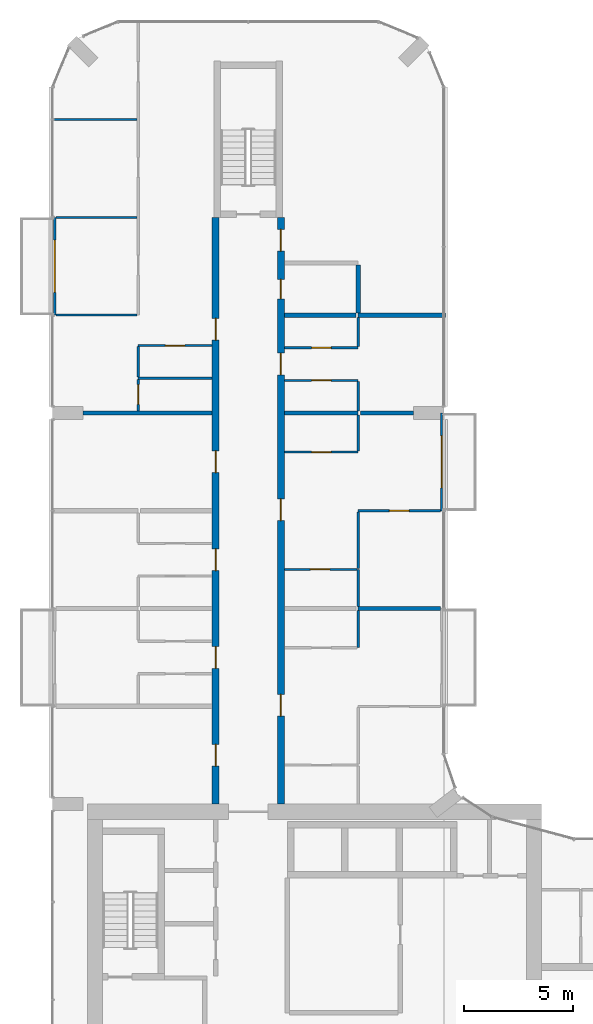
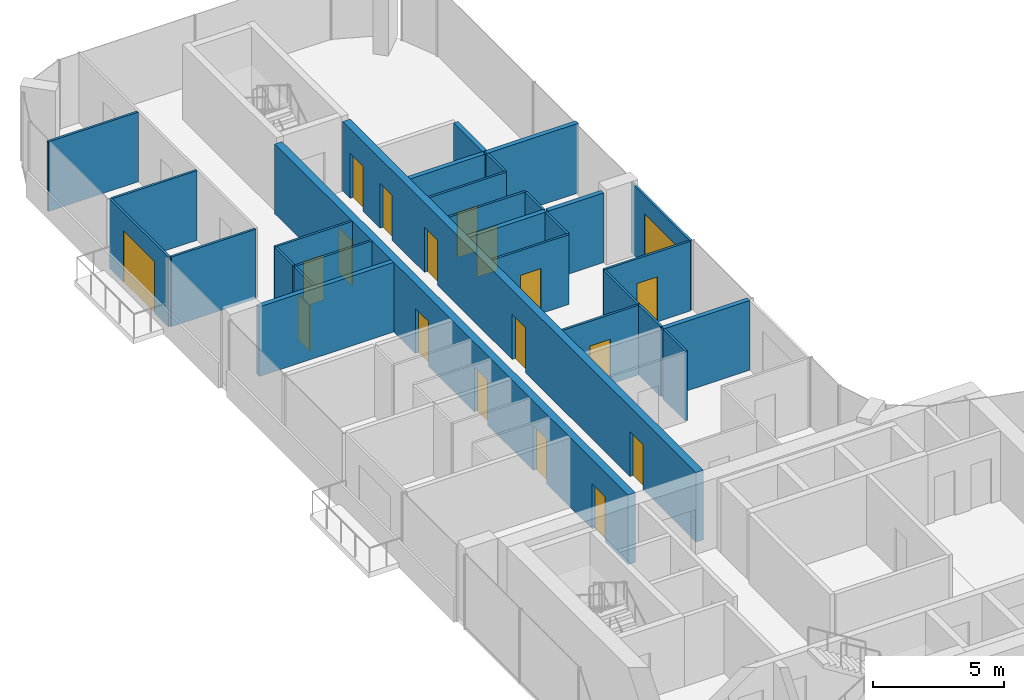
# One storey, part 16 of 23: 29 walls, 19 doors, 19 openings.
"""IFC4 building model written with IfcOpenShell, lengths in metres."""

from ifc_helpers import new_model, si_unit, direction, frame, frame_2d, origin, place, context, subcontext, project, spatial, rectangle, extrude, material, layer, layer_set, type_object, element, fill, save


model = new_model("IFC4")

# Units and contexts
model_context = context("Model", 3, precision=1e-05, world=origin(), true_north=direction((0.0, 1.0)))
body_context = subcontext(model_context, "Body", "Model", "MODEL_VIEW")
ifc_project = project(units=[si_unit("LENGTHUNIT", "METRE"), si_unit("AREAUNIT", "SQUARE_METRE"), si_unit("VOLUMEUNIT", "CUBIC_METRE"), si_unit("PLANEANGLEUNIT", "RADIAN"), si_unit("MASSUNIT", "GRAM", prefix="KILO")], contexts=[model_context])

# Site, building, storey
site_placement = place(None, origin())
site = spatial("IfcSite", under=ifc_project, at=site_placement, CompositionType="ELEMENT")
building_placement = place(site_placement, origin())
building = spatial("IfcBuilding", under=site, at=building_placement, Name="Plateau Cross Towers", CompositionType="ELEMENT")
storey_placement = place(building_placement, frame((0.0, 0.0, 85.300048828125)))
storey = spatial("IfcBuildingStorey", under=building, at=storey_placement, Name="L21", CompositionType="ELEMENT", Elevation=85.300048828125)

# Wall, opening, door
ifc_material_1 = material(Name="Aluminium framed glazing", Category="aluminium")
ifc_layer_1 = layer(ifc_material_1, 0.10009765625)
ifc_layer_set_1 = layer_set([ifc_layer_1], Name="Aluminium framed glazing")
wall_type_1 = type_object("IfcWallType", Name="Balcony screen wall 100", PredefinedType="STANDARD", material=ifc_layer_set_1)
wall_1_placement = place(storey_placement, frame((0.10009765625, 40.5, 0.0), z_axis=(0.0, 0.0, 1.0), x_axis=(0.0, 1.0, 0.0)))
wall_1 = element("IfcWall", 1, at=wall_1_placement, inside=storey, type_object=wall_type_1, Name="Balcony screen wall A-BAL-L21-02", PredefinedType="STANDARD", context=body_context, shape_type="SweptSolid", body=[
    extrude(rectangle(XDim=4.5, YDim=0.10009765625, at=frame_2d((2.25, 0.0))), origin(), (0.0, 0.0, 1.0), 3.25),
])
opening_1_placement = place(wall_1_placement, frame((1.050048828125, 0.0, 0.0)))
opening_1 = element("IfcOpeningElement", 2, at=opening_1_placement, cuts=wall_1, Name="Opening D-B24", PredefinedType="OPENING", context=body_context, shape_type="SweptSolid", body=[
    extrude(rectangle(XDim=2.39990234375, YDim=2.39990234375, at=frame_2d((1.199951171875, 1.199951171875))), frame((0.0, 0.06005859375, 0.0), z_axis=(0.0, -1.0, 0.0), x_axis=(1.0, 0.0, 0.0)), (0.0, 0.0, 1.0), 0.1201171875),
])
ifc_material_2 = material(Name="Aluminium frame, double glazing", Category="aluminium")
door_type_1 = type_object("IfcDoorType", Name="Balcony sliding door 2400", OperationType="NOTDEFINED", PredefinedType="DOOR", material=ifc_material_2)
door_1_placement = place(opening_1_placement, origin())
door_1 = element("IfcDoor", 3, at=door_1_placement, inside=storey, type_object=door_type_1, Name="Balcony door A-BAL-L21-02", OperationType="SINGLE_SWING_LEFT", OverallHeight=2.39990234375, OverallWidth=2.39990234375, PredefinedType="DOOR", context=body_context, shape_type="SweptSolid", body=[
    extrude(rectangle(XDim=2.39990234375, YDim=2.39990234375, at=frame_2d((1.199951171875, 1.199951171875))), frame((0.0, 0.02490234375, 0.0), z_axis=(0.0, -1.0, 0.0), x_axis=(1.0, 0.0, 0.0)), (0.0, 0.0, 1.0), 0.050048828125),
])
fill(opening_1, door_1)

wall_2_placement = place(storey_placement, frame((17.89990234375, 36.0, 0.0), z_axis=(0.0, 0.0, 1.0), x_axis=(0.0, -1.0, 0.0)))
wall_2 = element("IfcWall", 4, at=wall_2_placement, inside=storey, type_object=wall_type_1, Name="Balcony screen wall A-BAL-L21-04", PredefinedType="STANDARD", context=body_context, shape_type="SweptSolid", body=[
    extrude(rectangle(XDim=4.5, YDim=0.10009765625, at=frame_2d((2.25, 0.0))), origin(), (0.0, 0.0, 1.0), 3.25),
])
opening_2_placement = place(wall_2_placement, frame((1.050048828125, 0.0, 0.0)))
opening_2 = element("IfcOpeningElement", 5, at=opening_2_placement, cuts=wall_2, Name="Opening D-B24", PredefinedType="OPENING", context=body_context, shape_type="SweptSolid", body=[
    extrude(rectangle(XDim=2.39990234375, YDim=2.39990234375, at=frame_2d((1.199951171875, 1.199951171875))), frame((0.0, 0.06005859375, 0.0), z_axis=(0.0, -1.0, 0.0), x_axis=(1.0, 0.0, 0.0)), (0.0, 0.0, 1.0), 0.1201171875),
])
door_2_placement = place(opening_2_placement, origin())
door_2 = element("IfcDoor", 6, at=door_2_placement, inside=storey, type_object=door_type_1, Name="Balcony door A-BAL-L21-04", OperationType="SINGLE_SWING_LEFT", OverallHeight=2.39990234375, OverallWidth=2.39990234375, PredefinedType="DOOR", context=body_context, shape_type="SweptSolid", body=[
    extrude(rectangle(XDim=2.39990234375, YDim=2.39990234375, at=frame_2d((1.199951171875, 1.199951171875))), frame((0.0, 0.02490234375, 0.0), z_axis=(0.0, -1.0, 0.0), x_axis=(1.0, 0.0, 0.0)), (0.0, 0.0, 1.0), 0.050048828125),
])
fill(opening_2, door_2)

# Wall, openings, doors
ifc_material_3 = material(Name="Concrete C60/75", Category="concrete")
ifc_layer_2 = layer(ifc_material_3, 0.324951171875)
ifc_layer_set_2 = layer_set([ifc_layer_2], Name="Concrete C60/75")
wall_type_2 = type_object("IfcWallType", Name="Corridor wall 325", PredefinedType="SHEAR", material=ifc_layer_set_2)
wall_3_placement = place(storey_placement, frame((7.5, 18.0, 0.0), z_axis=(0.0, 0.0, 1.0), x_axis=(0.0, 1.0, 0.0)))
wall_3 = element("IfcWall", 7, at=wall_3_placement, inside=storey, type_object=wall_type_2, Name="A-cw-W1@L21", PredefinedType="SHEAR", context=body_context, shape_type="SweptSolid", body=[
    extrude(rectangle(XDim=27.0, YDim=0.324951171875, at=frame_2d((13.5, 0.0))), origin(), (0.0, 0.0, 1.0), 3.25),
])
opening_3_placement = place(wall_3_placement, frame((1.75, 0.0, 0.0)))
opening_3 = element("IfcOpeningElement", 8, at=opening_3_placement, cuts=wall_3, Name="Opening 21-08", PredefinedType="OPENING", context=body_context, shape_type="SweptSolid", body=[
    extrude(rectangle(XDim=1.0, YDim=2.10009765625, at=frame_2d((0.5, 1.050048828125))), frame((0.0, 0.17236328125, 0.0), z_axis=(0.0, -1.0, 0.0), x_axis=(1.0, 0.0, 0.0)), (0.0, 0.0, 1.0), 0.344970703125),
])
opening_4_placement = place(wall_3_placement, frame((6.25, 0.0, 0.0)))
opening_4 = element("IfcOpeningElement", 9, at=opening_4_placement, cuts=wall_3, Name="Opening 21-09", PredefinedType="OPENING", context=body_context, shape_type="SweptSolid", body=[
    extrude(rectangle(XDim=1.0, YDim=2.10009765625, at=frame_2d((0.5, 1.050048828125))), frame((0.0, 0.17236328125, 0.0), z_axis=(0.0, -1.0, 0.0), x_axis=(1.0, 0.0, 0.0)), (0.0, 0.0, 1.0), 0.344970703125),
])
opening_5_placement = place(wall_3_placement, frame((10.75, 0.0, 0.0)))
opening_5 = element("IfcOpeningElement", 10, at=opening_5_placement, cuts=wall_3, Name="Opening 21-10", PredefinedType="OPENING", context=body_context, shape_type="SweptSolid", body=[
    extrude(rectangle(XDim=1.0, YDim=2.10009765625, at=frame_2d((0.5, 1.050048828125))), frame((0.0, 0.17236328125, 0.0), z_axis=(0.0, -1.0, 0.0), x_axis=(1.0, 0.0, 0.0)), (0.0, 0.0, 1.0), 0.344970703125),
])
opening_6_placement = place(wall_3_placement, frame((15.25, 0.0, 0.0)))
opening_6 = element("IfcOpeningElement", 11, at=opening_6_placement, cuts=wall_3, Name="Opening 21-11", PredefinedType="OPENING", context=body_context, shape_type="SweptSolid", body=[
    extrude(rectangle(XDim=1.0, YDim=2.10009765625, at=frame_2d((0.5, 1.050048828125))), frame((0.0, 0.17236328125, 0.0), z_axis=(0.0, -1.0, 0.0), x_axis=(1.0, 0.0, 0.0)), (0.0, 0.0, 1.0), 0.344970703125),
])
opening_7_placement = place(wall_3_placement, frame((21.35009765625, 0.0, 0.0)))
opening_7 = element("IfcOpeningElement", 12, at=opening_7_placement, cuts=wall_3, Name="Opening 21-12", PredefinedType="OPENING", context=body_context, shape_type="SweptSolid", body=[
    extrude(rectangle(XDim=1.0, YDim=2.10009765625, at=frame_2d((0.5, 1.050048828125))), frame((0.0, 0.17236328125, 0.0), z_axis=(0.0, -1.0, 0.0), x_axis=(1.0, 0.0, 0.0)), (0.0, 0.0, 1.0), 0.344970703125),
])
ifc_material_4 = material(Name="Timber, fire-resisting leaf", Category="wood")
door_type_2 = type_object("IfcDoorType", Name="Flat entrance door 1000", OperationType="NOTDEFINED", PredefinedType="DOOR", material=ifc_material_4)
door_3_placement = place(opening_3_placement, origin())
door_3 = element("IfcDoor", 13, at=door_3_placement, inside=storey, type_object=door_type_2, Name="Door 21-08", OperationType="SINGLE_SWING_LEFT", OverallHeight=2.10009765625, OverallWidth=1.0, PredefinedType="DOOR", context=body_context, shape_type="SweptSolid", body=[
    extrude(rectangle(XDim=1.0, YDim=2.10009765625, at=frame_2d((0.5, 1.050048828125))), frame((0.0, 0.02490234375, 0.0), z_axis=(0.0, -1.0, 0.0), x_axis=(1.0, 0.0, 0.0)), (0.0, 0.0, 1.0), 0.050048828125),
])
fill(opening_3, door_3)
door_4_placement = place(opening_4_placement, origin())
door_4 = element("IfcDoor", 14, at=door_4_placement, inside=storey, type_object=door_type_2, Name="Door 21-09", OperationType="SINGLE_SWING_LEFT", OverallHeight=2.10009765625, OverallWidth=1.0, PredefinedType="DOOR", context=body_context, shape_type="SweptSolid", body=[
    extrude(rectangle(XDim=1.0, YDim=2.10009765625, at=frame_2d((0.5, 1.050048828125))), frame((0.0, 0.02490234375, 0.0), z_axis=(0.0, -1.0, 0.0), x_axis=(1.0, 0.0, 0.0)), (0.0, 0.0, 1.0), 0.050048828125),
])
fill(opening_4, door_4)
door_5_placement = place(opening_5_placement, origin())
door_5 = element("IfcDoor", 15, at=door_5_placement, inside=storey, type_object=door_type_2, Name="Door 21-10", OperationType="SINGLE_SWING_LEFT", OverallHeight=2.10009765625, OverallWidth=1.0, PredefinedType="DOOR", context=body_context, shape_type="SweptSolid", body=[
    extrude(rectangle(XDim=1.0, YDim=2.10009765625, at=frame_2d((0.5, 1.050048828125))), frame((0.0, 0.02490234375, 0.0), z_axis=(0.0, -1.0, 0.0), x_axis=(1.0, 0.0, 0.0)), (0.0, 0.0, 1.0), 0.050048828125),
])
fill(opening_5, door_5)
door_6_placement = place(opening_6_placement, origin())
door_6 = element("IfcDoor", 16, at=door_6_placement, inside=storey, type_object=door_type_2, Name="Door 21-11", OperationType="SINGLE_SWING_RIGHT", OverallHeight=2.10009765625, OverallWidth=1.0, PredefinedType="DOOR", context=body_context, shape_type="SweptSolid", body=[
    extrude(rectangle(XDim=1.0, YDim=2.10009765625, at=frame_2d((0.5, 1.050048828125))), frame((0.0, 0.02490234375, 0.0), z_axis=(0.0, -1.0, 0.0), x_axis=(1.0, 0.0, 0.0)), (0.0, 0.0, 1.0), 0.050048828125),
])
fill(opening_6, door_6)
door_7_placement = place(opening_7_placement, origin())
door_7 = element("IfcDoor", 17, at=door_7_placement, inside=storey, type_object=door_type_2, Name="Door 21-12", OperationType="SINGLE_SWING_RIGHT", OverallHeight=2.10009765625, OverallWidth=1.0, PredefinedType="DOOR", context=body_context, shape_type="SweptSolid", body=[
    extrude(rectangle(XDim=1.0, YDim=2.10009765625, at=frame_2d((0.5, 1.050048828125))), frame((0.0, 0.02490234375, 0.0), z_axis=(0.0, -1.0, 0.0), x_axis=(1.0, 0.0, 0.0)), (0.0, 0.0, 1.0), 0.050048828125),
])
fill(opening_7, door_7)

wall_4_placement = place(storey_placement, frame((10.5, 18.0, 0.0), z_axis=(0.0, 0.0, 1.0), x_axis=(0.0, 1.0, 0.0)))
wall_4 = element("IfcWall", 18, at=wall_4_placement, inside=storey, type_object=wall_type_2, Name="A-cw-W2@L21", PredefinedType="SHEAR", context=body_context, shape_type="SweptSolid", body=[
    extrude(rectangle(XDim=27.0, YDim=0.324951171875, at=frame_2d((13.5, 0.0))), origin(), (0.0, 0.0, 1.0), 3.25),
])
opening_8_placement = place(wall_4_placement, frame((4.050048828125, 0.0, 0.0)))
opening_8 = element("IfcOpeningElement", 19, at=opening_8_placement, cuts=wall_4, Name="Opening 21-13", PredefinedType="OPENING", context=body_context, shape_type="SweptSolid", body=[
    extrude(rectangle(XDim=1.0, YDim=2.10009765625, at=frame_2d((0.5, 1.050048828125))), frame((0.0, 0.17236328125, 0.0), z_axis=(0.0, -1.0, 0.0), x_axis=(1.0, 0.0, 0.0)), (0.0, 0.0, 1.0), 0.344970703125),
])
opening_9_placement = place(wall_4_placement, frame((13.050048828125, 0.0, 0.0)))
opening_9 = element("IfcOpeningElement", 20, at=opening_9_placement, cuts=wall_4, Name="Opening 21-14", PredefinedType="OPENING", context=body_context, shape_type="SweptSolid", body=[
    extrude(rectangle(XDim=1.0, YDim=2.10009765625, at=frame_2d((0.5, 1.050048828125))), frame((0.0, 0.17236328125, 0.0), z_axis=(0.0, -1.0, 0.0), x_axis=(1.0, 0.0, 0.0)), (0.0, 0.0, 1.0), 0.344970703125),
])
opening_10_placement = place(wall_4_placement, frame((19.75, 0.0, 0.0)))
opening_10 = element("IfcOpeningElement", 21, at=opening_10_placement, cuts=wall_4, Name="Opening 21-15", PredefinedType="OPENING", context=body_context, shape_type="SweptSolid", body=[
    extrude(rectangle(XDim=1.0, YDim=2.10009765625, at=frame_2d((0.5, 1.050048828125))), frame((0.0, 0.17236328125, 0.0), z_axis=(0.0, -1.0, 0.0), x_axis=(1.0, 0.0, 0.0)), (0.0, 0.0, 1.0), 0.344970703125),
])
opening_11_placement = place(wall_4_placement, frame((23.25, 0.0, 0.0)))
opening_11 = element("IfcOpeningElement", 22, at=opening_11_placement, cuts=wall_4, Name="Opening 21-16", PredefinedType="OPENING", context=body_context, shape_type="SweptSolid", body=[
    extrude(rectangle(XDim=0.89990234375, YDim=2.10009765625, at=frame_2d((0.449951171875, 1.050048828125))), frame((0.0, 0.17236328125, 0.0), z_axis=(0.0, -1.0, 0.0), x_axis=(1.0, 0.0, 0.0)), (0.0, 0.0, 1.0), 0.344970703125),
])
opening_12_placement = place(wall_4_placement, frame((25.449951171875, 0.0, 0.0)))
opening_12 = element("IfcOpeningElement", 23, at=opening_12_placement, cuts=wall_4, Name="Opening 21-17", PredefinedType="OPENING", context=body_context, shape_type="SweptSolid", body=[
    extrude(rectangle(XDim=1.0, YDim=2.10009765625, at=frame_2d((0.5, 1.050048828125))), frame((0.0, 0.17236328125, 0.0), z_axis=(0.0, -1.0, 0.0), x_axis=(1.0, 0.0, 0.0)), (0.0, 0.0, 1.0), 0.344970703125),
])
door_8_placement = place(opening_8_placement, origin())
door_8 = element("IfcDoor", 24, at=door_8_placement, inside=storey, type_object=door_type_2, Name="Door 21-13", OperationType="SINGLE_SWING_LEFT", OverallHeight=2.10009765625, OverallWidth=1.0, PredefinedType="DOOR", context=body_context, shape_type="SweptSolid", body=[
    extrude(rectangle(XDim=1.0, YDim=2.10009765625, at=frame_2d((0.5, 1.050048828125))), frame((0.0, 0.02490234375, 0.0), z_axis=(0.0, -1.0, 0.0), x_axis=(1.0, 0.0, 0.0)), (0.0, 0.0, 1.0), 0.050048828125),
])
fill(opening_8, door_8)
door_9_placement = place(opening_9_placement, origin())
door_9 = element("IfcDoor", 25, at=door_9_placement, inside=storey, type_object=door_type_2, Name="Door 21-14", OperationType="SINGLE_SWING_RIGHT", OverallHeight=2.10009765625, OverallWidth=1.0, PredefinedType="DOOR", context=body_context, shape_type="SweptSolid", body=[
    extrude(rectangle(XDim=1.0, YDim=2.10009765625, at=frame_2d((0.5, 1.050048828125))), frame((0.0, 0.02490234375, 0.0), z_axis=(0.0, -1.0, 0.0), x_axis=(1.0, 0.0, 0.0)), (0.0, 0.0, 1.0), 0.050048828125),
])
fill(opening_9, door_9)
door_10_placement = place(opening_10_placement, origin())
door_10 = element("IfcDoor", 26, at=door_10_placement, inside=storey, type_object=door_type_2, Name="Door 21-15", OperationType="SINGLE_SWING_RIGHT", OverallHeight=2.10009765625, OverallWidth=1.0, PredefinedType="DOOR", context=body_context, shape_type="SweptSolid", body=[
    extrude(rectangle(XDim=1.0, YDim=2.10009765625, at=frame_2d((0.5, 1.050048828125))), frame((0.0, 0.02490234375, 0.0), z_axis=(0.0, -1.0, 0.0), x_axis=(1.0, 0.0, 0.0)), (0.0, 0.0, 1.0), 0.050048828125),
])
fill(opening_10, door_10)
door_11_placement = place(opening_12_placement, origin())
door_11 = element("IfcDoor", 27, at=door_11_placement, inside=storey, type_object=door_type_2, Name="Door 21-17", OperationType="SINGLE_SWING_RIGHT", OverallHeight=2.10009765625, OverallWidth=1.0, PredefinedType="DOOR", context=body_context, shape_type="SweptSolid", body=[
    extrude(rectangle(XDim=1.0, YDim=2.10009765625, at=frame_2d((0.5, 1.050048828125))), frame((0.0, 0.02490234375, 0.0), z_axis=(0.0, -1.0, 0.0), x_axis=(1.0, 0.0, 0.0)), (0.0, 0.0, 1.0), 0.050048828125),
])
fill(opening_12, door_11)
door_type_3 = type_object("IfcDoorType", Name="Flat floor service door 900", OperationType="NOTDEFINED", PredefinedType="DOOR", material=ifc_material_4)
door_12_placement = place(opening_11_placement, origin())
door_12 = element("IfcDoor", 28, at=door_12_placement, inside=storey, type_object=door_type_3, Name="Door 21-16", OperationType="SINGLE_SWING_RIGHT", OverallHeight=2.10009765625, OverallWidth=0.89990234375, PredefinedType="DOOR", context=body_context, shape_type="SweptSolid", body=[
    extrude(rectangle(XDim=0.89990234375, YDim=2.10009765625, at=frame_2d((0.449951171875, 1.050048828125))), frame((0.0, 0.02490234375, 0.0), z_axis=(0.0, -1.0, 0.0), x_axis=(1.0, 0.0, 0.0)), (0.0, 0.0, 1.0), 0.050048828125),
])
fill(opening_11, door_12)

# Wall, opening, door
ifc_material_5 = material(Name="Gypsum board on steel studs", Category="steel")
ifc_layer_3 = layer(ifc_material_5, 0.10009765625)
ifc_layer_set_3 = layer_set([ifc_layer_3], Name="Gypsum board on steel studs")
wall_type_3 = type_object("IfcWallType", Name="Flat partition 100", PredefinedType="PARTITIONING", material=ifc_layer_set_3)
wall_5_placement = place(storey_placement, frame((14.012451171875, 28.800048828125, 0.0), z_axis=(0.0, 0.0, 1.0), x_axis=(-1.0, 0.0, 0.0)))
wall_5 = element("IfcWall", 29, at=wall_5_placement, inside=storey, type_object=wall_type_3, Name="Partition wall", PredefinedType="PARTITIONING", context=body_context, shape_type="SweptSolid", body=[
    extrude(rectangle(XDim=3.349853515625, YDim=0.10009765625, at=frame_2d((1.6748046875, 0.0))), origin(), (0.0, 0.0, 1.0), 3.25),
])
opening_13_placement = place(wall_5_placement, frame((1.25, 0.0, 0.0)))
opening_13 = element("IfcOpeningElement", 30, at=opening_13_placement, cuts=wall_5, Name="Opening 21-46", PredefinedType="OPENING", context=body_context, shape_type="SweptSolid", body=[
    extrude(rectangle(XDim=0.89990234375, YDim=2.10009765625, at=frame_2d((0.449951171875, 1.050048828125))), frame((0.0, 0.06005859375, 0.0), z_axis=(0.0, -1.0, 0.0), x_axis=(1.0, 0.0, 0.0)), (0.0, 0.0, 1.0), 0.1201171875),
])
ifc_material_6 = material(Name="Timber leaf", Category="wood")
door_type_4 = type_object("IfcDoorType", Name="Flat room door 900", OperationType="NOTDEFINED", PredefinedType="DOOR", material=ifc_material_6)
door_13_placement = place(opening_13_placement, origin())
door_13 = element("IfcDoor", 31, at=door_13_placement, inside=storey, type_object=door_type_4, Name="Door 21-46", OperationType="SINGLE_SWING_RIGHT", OverallHeight=2.10009765625, OverallWidth=0.89990234375, PredefinedType="DOOR", context=body_context, shape_type="SweptSolid", body=[
    extrude(rectangle(XDim=0.89990234375, YDim=2.10009765625, at=frame_2d((0.449951171875, 1.050048828125))), frame((0.0, 0.02490234375, 0.0), z_axis=(0.0, -1.0, 0.0), x_axis=(1.0, 0.0, 0.0)), (0.0, 0.0, 1.0), 0.050048828125),
])
fill(opening_13, door_13)

wall_6_placement = place(storey_placement, frame((17.85009765625, 31.5, 0.0), z_axis=(0.0, 0.0, 1.0), x_axis=(-1.0, 0.0, 0.0)))
wall_6 = element("IfcWall", 32, at=wall_6_placement, inside=storey, type_object=wall_type_3, Name="Partition wall", PredefinedType="PARTITIONING", context=body_context, shape_type="SweptSolid", body=[
    extrude(rectangle(XDim=3.78759765625, YDim=0.10009765625, at=frame_2d((1.893798828125, 0.0))), origin(), (0.0, 0.0, 1.0), 3.25),
])
opening_14_placement = place(wall_6_placement, frame((1.449951171875, 0.0, 0.0)))
opening_14 = element("IfcOpeningElement", 33, at=opening_14_placement, cuts=wall_6, Name="Opening 21-48", PredefinedType="OPENING", context=body_context, shape_type="SweptSolid", body=[
    extrude(rectangle(XDim=0.89990234375, YDim=2.10009765625, at=frame_2d((0.449951171875, 1.050048828125))), frame((0.0, 0.06005859375, 0.0), z_axis=(0.0, -1.0, 0.0), x_axis=(1.0, 0.0, 0.0)), (0.0, 0.0, 1.0), 0.1201171875),
])
door_14_placement = place(opening_14_placement, origin())
door_14 = element("IfcDoor", 34, at=door_14_placement, inside=storey, type_object=door_type_4, Name="Door 21-48", OperationType="SINGLE_SWING_RIGHT", OverallHeight=2.10009765625, OverallWidth=0.89990234375, PredefinedType="DOOR", context=body_context, shape_type="SweptSolid", body=[
    extrude(rectangle(XDim=0.89990234375, YDim=2.10009765625, at=frame_2d((0.449951171875, 1.050048828125))), frame((0.0, 0.02490234375, 0.0), z_axis=(0.0, -1.0, 0.0), x_axis=(1.0, 0.0, 0.0)), (0.0, 0.0, 1.0), 0.050048828125),
])
fill(opening_14, door_14)

wall_7_placement = place(storey_placement, frame((10.66259765625, 34.199951171875, 0.0), z_axis=(0.0, 0.0, 1.0), x_axis=(1.0, 0.0, 0.0)))
wall_7 = element("IfcWall", 35, at=wall_7_placement, inside=storey, type_object=wall_type_3, Name="Partition wall", PredefinedType="PARTITIONING", context=body_context, shape_type="SweptSolid", body=[
    extrude(rectangle(XDim=3.39990234375, YDim=0.10009765625, at=frame_2d((1.699951171875, 0.0))), origin(), (0.0, 0.0, 1.0), 3.25),
])
opening_15_placement = place(wall_7_placement, frame((1.25, 0.0, 0.0)))
opening_15 = element("IfcOpeningElement", 36, at=opening_15_placement, cuts=wall_7, Name="Opening 21-47", PredefinedType="OPENING", context=body_context, shape_type="SweptSolid", body=[
    extrude(rectangle(XDim=0.89990234375, YDim=2.10009765625, at=frame_2d((0.449951171875, 1.050048828125))), frame((0.0, 0.06005859375, 0.0), z_axis=(0.0, -1.0, 0.0), x_axis=(1.0, 0.0, 0.0)), (0.0, 0.0, 1.0), 0.1201171875),
])
door_15_placement = place(opening_15_placement, origin())
door_15 = element("IfcDoor", 37, at=door_15_placement, inside=storey, type_object=door_type_4, Name="Door 21-47", OperationType="SINGLE_SWING_LEFT", OverallHeight=2.10009765625, OverallWidth=0.89990234375, PredefinedType="DOOR", context=body_context, shape_type="SweptSolid", body=[
    extrude(rectangle(XDim=0.89990234375, YDim=2.10009765625, at=frame_2d((0.449951171875, 1.050048828125))), frame((0.0, 0.02490234375, 0.0), z_axis=(0.0, -1.0, 0.0), x_axis=(1.0, 0.0, 0.0)), (0.0, 0.0, 1.0), 0.050048828125),
])
fill(opening_15, door_15)

wall_8_placement = place(storey_placement, frame((14.0625, 37.5, 0.0), z_axis=(0.0, 0.0, 1.0), x_axis=(-1.0, 0.0, 0.0)))
wall_8 = element("IfcWall", 38, at=wall_8_placement, inside=storey, type_object=wall_type_3, Name="Partition wall", PredefinedType="PARTITIONING", context=body_context, shape_type="SweptSolid", body=[
    extrude(rectangle(XDim=3.39990234375, YDim=0.10009765625, at=frame_2d((1.699951171875, 0.0))), origin(), (0.0, 0.0, 1.0), 3.25),
])
opening_16_placement = place(wall_8_placement, frame((1.25, 0.0, 0.0)))
opening_16 = element("IfcOpeningElement", 39, at=opening_16_placement, cuts=wall_8, Name="Opening 21-49", PredefinedType="OPENING", context=body_context, shape_type="SweptSolid", body=[
    extrude(rectangle(XDim=0.89990234375, YDim=2.10009765625, at=frame_2d((0.449951171875, 1.050048828125))), frame((0.0, 0.06005859375, 0.0), z_axis=(0.0, -1.0, 0.0), x_axis=(1.0, 0.0, 0.0)), (0.0, 0.0, 1.0), 0.1201171875),
])
door_16_placement = place(opening_16_placement, origin())
door_16 = element("IfcDoor", 40, at=door_16_placement, inside=storey, type_object=door_type_4, Name="Door 21-49", OperationType="SINGLE_SWING_LEFT", OverallHeight=2.10009765625, OverallWidth=0.89990234375, PredefinedType="DOOR", context=body_context, shape_type="SweptSolid", body=[
    extrude(rectangle(XDim=0.89990234375, YDim=2.10009765625, at=frame_2d((0.449951171875, 1.050048828125))), frame((0.0, 0.02490234375, 0.0), z_axis=(0.0, -1.0, 0.0), x_axis=(1.0, 0.0, 0.0)), (0.0, 0.0, 1.0), 0.050048828125),
])
fill(opening_16, door_16)

# Wall
wall_9_placement = place(storey_placement, frame((7.33740234375, 37.60009765625, 0.0), z_axis=(0.0, 0.0, 1.0), x_axis=(-1.0, 0.0, 0.0)))
element("IfcWall", 41, at=wall_9_placement, inside=storey, type_object=wall_type_3, Name="Partition wall", PredefinedType="PARTITIONING", context=body_context, shape_type="SweptSolid", body=[
    extrude(rectangle(XDim=3.39990234375, YDim=0.10009765625, at=frame_2d((1.699951171875, 0.0))), origin(), (0.0, 0.0, 1.0), 3.25),
])

# Wall, opening, door
wall_10_placement = place(storey_placement, frame((10.66259765625, 39.0, 0.0), z_axis=(0.0, 0.0, 1.0), x_axis=(1.0, 0.0, 0.0)))
wall_10 = element("IfcWall", 42, at=wall_10_placement, inside=storey, type_object=wall_type_3, Name="Partition wall", PredefinedType="PARTITIONING", context=body_context, shape_type="SweptSolid", body=[
    extrude(rectangle(XDim=3.39990234375, YDim=0.10009765625, at=frame_2d((1.699951171875, 0.0))), origin(), (0.0, 0.0, 1.0), 3.25),
])
opening_17_placement = place(wall_10_placement, frame((1.25, 0.0, 0.0)))
opening_17 = element("IfcOpeningElement", 43, at=opening_17_placement, cuts=wall_10, Name="Opening 21-50", PredefinedType="OPENING", context=body_context, shape_type="SweptSolid", body=[
    extrude(rectangle(XDim=0.89990234375, YDim=2.10009765625, at=frame_2d((0.449951171875, 1.050048828125))), frame((0.0, 0.06005859375, 0.0), z_axis=(0.0, -1.0, 0.0), x_axis=(1.0, 0.0, 0.0)), (0.0, 0.0, 1.0), 0.1201171875),
])
door_17_placement = place(opening_17_placement, origin())
door_17 = element("IfcDoor", 44, at=door_17_placement, inside=storey, type_object=door_type_4, Name="Door 21-50", OperationType="SINGLE_SWING_LEFT", OverallHeight=2.10009765625, OverallWidth=0.89990234375, PredefinedType="DOOR", context=body_context, shape_type="SweptSolid", body=[
    extrude(rectangle(XDim=0.89990234375, YDim=2.10009765625, at=frame_2d((0.449951171875, 1.050048828125))), frame((0.0, 0.02490234375, 0.0), z_axis=(0.0, -1.0, 0.0), x_axis=(1.0, 0.0, 0.0)), (0.0, 0.0, 1.0), 0.050048828125),
])
fill(opening_17, door_17)

wall_11_placement = place(storey_placement, frame((7.33740234375, 39.10009765625, 0.0), z_axis=(0.0, 0.0, 1.0), x_axis=(-1.0, 0.0, 0.0)))
wall_11 = element("IfcWall", 45, at=wall_11_placement, inside=storey, type_object=wall_type_3, Name="Partition wall", PredefinedType="PARTITIONING", context=body_context, shape_type="SweptSolid", body=[
    extrude(rectangle(XDim=3.39990234375, YDim=0.10009765625, at=frame_2d((1.699951171875, 0.0))), origin(), (0.0, 0.0, 1.0), 3.25),
])
opening_18_placement = place(wall_11_placement, frame((1.25, 0.0, 0.0)))
opening_18 = element("IfcOpeningElement", 46, at=opening_18_placement, cuts=wall_11, Name="Opening 21-39", PredefinedType="OPENING", context=body_context, shape_type="SweptSolid", body=[
    extrude(rectangle(XDim=0.89990234375, YDim=2.10009765625, at=frame_2d((0.449951171875, 1.050048828125))), frame((0.0, 0.06005859375, 0.0), z_axis=(0.0, -1.0, 0.0), x_axis=(1.0, 0.0, 0.0)), (0.0, 0.0, 1.0), 0.1201171875),
])
door_18_placement = place(opening_18_placement, origin())
door_18 = element("IfcDoor", 47, at=door_18_placement, inside=storey, type_object=door_type_4, Name="Door 21-39", OperationType="SINGLE_SWING_LEFT", OverallHeight=2.10009765625, OverallWidth=0.89990234375, PredefinedType="DOOR", context=body_context, shape_type="SweptSolid", body=[
    extrude(rectangle(XDim=0.89990234375, YDim=2.10009765625, at=frame_2d((0.449951171875, 1.050048828125))), frame((0.0, 0.02490234375, 0.0), z_axis=(0.0, -1.0, 0.0), x_axis=(1.0, 0.0, 0.0)), (0.0, 0.0, 1.0), 0.050048828125),
])
fill(opening_18, door_18)

# Walls
for number, where, z_axis, x_axis, name in (
    (48, (0.14990234375, 40.5, 0.0), (0.0, 0.0, 1.0), (1.0, 0.0, 0.0), "Partition wall"),
    (49, (3.887451171875, 45.0, 0.0), (0.0, 0.0, 1.0), (-1.0, 0.0, 0.0), "Partition wall"),
):
    element("IfcWall", number, at=place(storey_placement, frame(where, z_axis=z_axis, x_axis=x_axis)), inside=storey, type_object=wall_type_3, Name=name, PredefinedType="PARTITIONING", context=body_context, shape_type="SweptSolid", body=[
        extrude(rectangle(XDim=3.737548828125, YDim=0.10009765625, at=frame_2d((1.86865234375, 0.0))), origin(), (0.0, 0.0, 1.0), 3.25),
    ])
wall_12_placement = place(storey_placement, frame((3.887451171875, 49.5, 0.0), z_axis=(0.0, 0.0, 1.0), x_axis=(-1.0, 0.0, 0.0)))
element("IfcWall", 50, at=wall_12_placement, inside=storey, type_object=wall_type_3, Name="Partition wall", PredefinedType="PARTITIONING", context=body_context, shape_type="SweptSolid", body=[
    extrude(rectangle(XDim=3.967529296875, YDim=0.10009765625, at=frame_2d((1.98388671875, 0.0))), origin(), (0.0, 0.0, 1.0), 3.25),
])

# Wall, opening, door
wall_13_placement = place(storey_placement, frame((3.9375, 37.550048828125, 0.0), z_axis=(0.0, 0.0, 1.0), x_axis=(0.0, -1.0, 0.0)))
wall_13 = element("IfcWall", 51, at=wall_13_placement, inside=storey, type_object=wall_type_3, Name="Partition wall", PredefinedType="PARTITIONING", context=body_context, shape_type="SweptSolid", body=[
    extrude(rectangle(XDim=1.449951171875, YDim=0.10009765625, at=frame_2d((0.72509765625, 0.0))), origin(), (0.0, 0.0, 1.0), 3.25),
])
opening_19_placement = place(wall_13_placement, frame((0.25, 0.0, 0.0)))
opening_19 = element("IfcOpeningElement", 52, at=opening_19_placement, cuts=wall_13, Name="Opening 21-38", PredefinedType="OPENING", context=body_context, shape_type="SweptSolid", body=[
    extrude(rectangle(XDim=0.89990234375, YDim=2.10009765625, at=frame_2d((0.449951171875, 1.050048828125))), frame((0.0, 0.06005859375, 0.0), z_axis=(0.0, -1.0, 0.0), x_axis=(1.0, 0.0, 0.0)), (0.0, 0.0, 1.0), 0.1201171875),
])
door_19_placement = place(opening_19_placement, origin())
door_19 = element("IfcDoor", 53, at=door_19_placement, inside=storey, type_object=door_type_4, Name="Door 21-38", OperationType="SINGLE_SWING_LEFT", OverallHeight=2.10009765625, OverallWidth=0.89990234375, PredefinedType="DOOR", context=body_context, shape_type="SweptSolid", body=[
    extrude(rectangle(XDim=0.89990234375, YDim=2.10009765625, at=frame_2d((0.449951171875, 1.050048828125))), frame((0.0, 0.02490234375, 0.0), z_axis=(0.0, -1.0, 0.0), x_axis=(1.0, 0.0, 0.0)), (0.0, 0.0, 1.0), 0.050048828125),
])
fill(opening_19, door_19)

# Walls
wall_14_placement = place(storey_placement, frame((3.9375, 39.050048828125, 0.0), z_axis=(0.0, 0.0, 1.0), x_axis=(0.0, -1.0, 0.0)))
element("IfcWall", 54, at=wall_14_placement, inside=storey, type_object=wall_type_3, Name="Partition wall", PredefinedType="PARTITIONING", context=body_context, shape_type="SweptSolid", body=[
    extrude(rectangle(XDim=1.400146484375, YDim=0.10009765625, at=frame_2d((0.7001953125, 0.0))), origin(), (0.0, 0.0, 1.0), 3.25),
])
wall_15_placement = place(storey_placement, frame((14.0625, 31.449951171875, 0.0), z_axis=(0.0, 0.0, 1.0), x_axis=(0.0, -1.0, 0.0)))
element("IfcWall", 55, at=wall_15_placement, inside=storey, type_object=wall_type_3, Name="Partition wall", PredefinedType="PARTITIONING", context=body_context, shape_type="SweptSolid", body=[
    extrude(rectangle(XDim=2.599853515625, YDim=0.10009765625, at=frame_2d((1.2998046875, 0.0))), origin(), (0.0, 0.0, 1.0), 3.25),
])
for number, where, z_axis, x_axis, name in (
    (56, (14.0625, 25.199951171875, 0.0), (0.0, 0.0, 1.0), (0.0, 1.0, 0.0), "Partition wall"),
    (57, (14.0625, 27.10009765625, 0.0), (0.0, 0.0, 1.0), (0.0, 1.0, 0.0), "Partition wall"),
):
    element("IfcWall", number, at=place(storey_placement, frame(where, z_axis=z_axis, x_axis=x_axis)), inside=storey, type_object=wall_type_3, Name=name, PredefinedType="PARTITIONING", context=body_context, shape_type="SweptSolid", body=[
        extrude(rectangle(XDim=1.699951171875, YDim=0.10009765625, at=frame_2d((0.85009765625, 0.0))), origin(), (0.0, 0.0, 1.0), 3.25),
    ])
wall_16_placement = place(storey_placement, frame((14.0625, 34.25, 0.0), z_axis=(0.0, 0.0, 1.0), x_axis=(0.0, 1.0, 0.0)))
element("IfcWall", 58, at=wall_16_placement, inside=storey, type_object=wall_type_3, Name="Partition wall", PredefinedType="PARTITIONING", context=body_context, shape_type="SweptSolid", body=[
    extrude(rectangle(XDim=1.64990234375, YDim=0.10009765625, at=frame_2d((0.824951171875, 0.0))), origin(), (0.0, 0.0, 1.0), 3.25),
])
for number, where, z_axis, x_axis, name in (
    (59, (14.0625, 36.10009765625, 0.0), (0.0, 0.0, 1.0), (0.0, 1.0, 0.0), "Partition wall"),
    (60, (14.0625, 39.050048828125, 0.0), (0.0, 0.0, 1.0), (0.0, 1.0, 0.0), "Partition wall"),
):
    element("IfcWall", number, at=place(storey_placement, frame(where, z_axis=z_axis, x_axis=x_axis)), inside=storey, type_object=wall_type_3, Name=name, PredefinedType="PARTITIONING", context=body_context, shape_type="SweptSolid", body=[
        extrude(rectangle(XDim=1.349853515625, YDim=0.10009765625, at=frame_2d((0.6748046875, 0.0))), origin(), (0.0, 0.0, 1.0), 3.25),
    ])
ifc_material_7 = material(Name="Gypsum board on steel studs, two layers each side", Category="steel")
ifc_layer_4 = layer(ifc_material_7, 0.199951171875)
ifc_layer_set_4 = layer_set([ifc_layer_4], Name="Gypsum board on steel studs, two layers each side")
wall_type_4 = type_object("IfcWallType", Name="Flat party wall 200", PredefinedType="PARTITIONING", material=ifc_layer_set_4)
wall_17_placement = place(storey_placement, frame((14.0625, 27.0, 0.0), z_axis=(0.0, 0.0, 1.0), x_axis=(1.0, 0.0, 0.0)))
element("IfcWall", 61, at=wall_17_placement, inside=storey, type_object=wall_type_4, Name="Party wall", PredefinedType="PARTITIONING", context=body_context, shape_type="SweptSolid", body=[
    extrude(rectangle(XDim=3.78759765625, YDim=0.199951171875, at=frame_2d((1.893798828125, 0.0))), origin(), (0.0, 0.0, 1.0), 3.25),
])
wall_18_placement = place(storey_placement, frame((7.33740234375, 36.0, 0.0), z_axis=(0.0, 0.0, 1.0), x_axis=(-1.0, 0.0, 0.0)))
element("IfcWall", 62, at=wall_18_placement, inside=storey, type_object=wall_type_4, Name="Party wall", PredefinedType="PARTITIONING", context=body_context, shape_type="SweptSolid", body=[
    extrude(rectangle(XDim=5.9375, YDim=0.199951171875, at=frame_2d((2.96875, 0.0))), origin(), (0.0, 0.0, 1.0), 3.25),
])
wall_19_placement = place(storey_placement, frame((14.0625, 36.0, 0.0), z_axis=(0.0, 0.0, 1.0), x_axis=(-1.0, 0.0, 0.0)))
element("IfcWall", 63, at=wall_19_placement, inside=storey, type_object=wall_type_4, Name="Party wall", PredefinedType="PARTITIONING", context=body_context, shape_type="SweptSolid", body=[
    extrude(rectangle(XDim=3.39990234375, YDim=0.199951171875, at=frame_2d((1.699951171875, 0.0))), origin(), (0.0, 0.0, 1.0), 3.25),
])
wall_20_placement = place(storey_placement, frame((14.16259765625, 36.0, 0.0), z_axis=(0.0, 0.0, 1.0), x_axis=(1.0, 0.0, 0.0)))
element("IfcWall", 64, at=wall_20_placement, inside=storey, type_object=wall_type_4, Name="Party wall", PredefinedType="PARTITIONING", context=body_context, shape_type="SweptSolid", body=[
    extrude(rectangle(XDim=2.4375, YDim=0.199951171875, at=frame_2d((1.21875, 0.0))), origin(), (0.0, 0.0, 1.0), 3.25),
])
wall_21_placement = place(storey_placement, frame((13.96240234375, 40.5, 0.0), z_axis=(0.0, 0.0, 1.0), x_axis=(-1.0, 0.0, 0.0)))
element("IfcWall", 65, at=wall_21_placement, inside=storey, type_object=wall_type_4, Name="Party wall", PredefinedType="PARTITIONING", context=body_context, shape_type="SweptSolid", body=[
    extrude(rectangle(XDim=3.2998046875, YDim=0.199951171875, at=frame_2d((1.64990234375, 0.0))), origin(), (0.0, 0.0, 1.0), 3.25),
])
wall_22_placement = place(storey_placement, frame((14.0625, 40.5, 0.0), z_axis=(0.0, 0.0, 1.0), x_axis=(1.0, 0.0, 0.0)))
element("IfcWall", 66, at=wall_22_placement, inside=storey, type_object=wall_type_4, Name="Party wall", PredefinedType="PARTITIONING", context=body_context, shape_type="SweptSolid", body=[
    extrude(rectangle(XDim=4.017578125, YDim=0.199951171875, at=frame_2d((2.0087890625, 0.0))), origin(), (0.0, 0.0, 1.0), 3.25),
])
wall_23_placement = place(storey_placement, frame((14.0625, 40.60009765625, 0.0), z_axis=(0.0, 0.0, 1.0), x_axis=(0.0, 1.0, 0.0)))
element("IfcWall", 67, at=wall_23_placement, inside=storey, type_object=wall_type_4, Name="Party wall", PredefinedType="PARTITIONING", context=body_context, shape_type="SweptSolid", body=[
    extrude(rectangle(XDim=2.199951171875, YDim=0.199951171875, at=frame_2d((1.10009765625, 0.0))), origin(), (0.0, 0.0, 1.0), 3.25),
])

save(model, "model.ifc")
